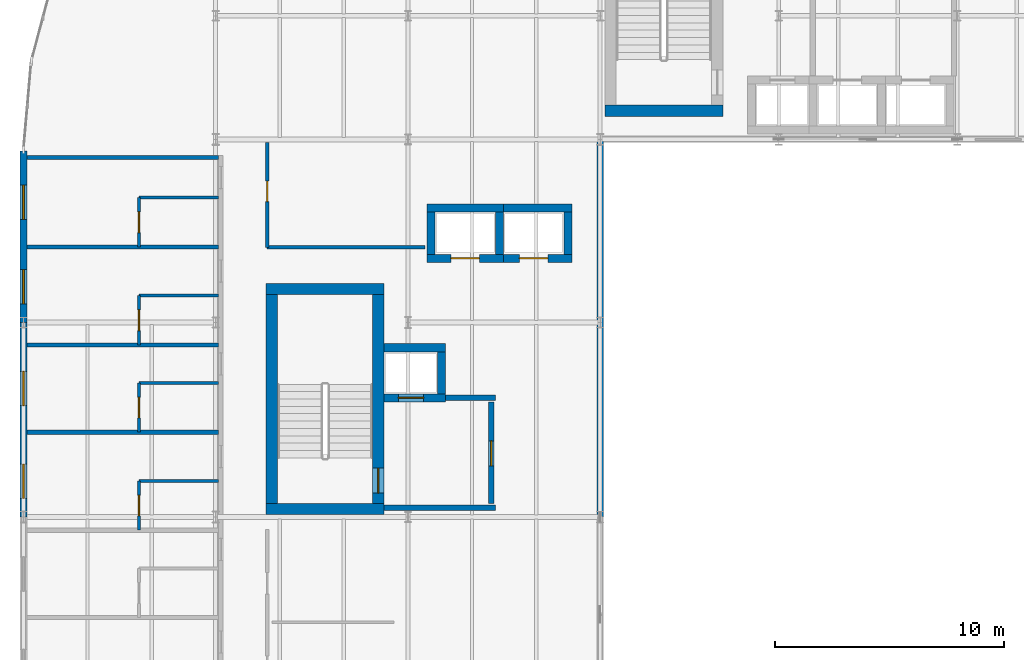
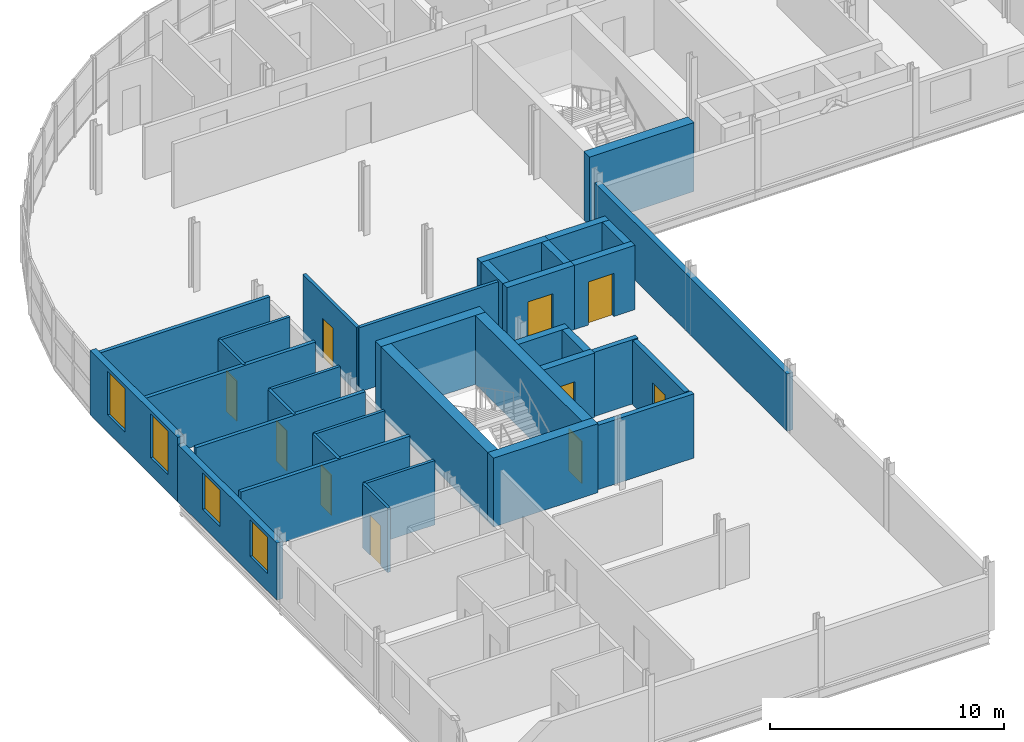
# One storey, part 20 of 34: 35 walls, 10 doors, 4 windows, 14 openings.
"""IFC4 building model written with IfcOpenShell, lengths in metres."""

from ifc_helpers import new_model, si_unit, direction, frame, frame_2d, origin, place, context, subcontext, project, spatial, rectangle, extrude, material, layer, layer_set, type_object, element, fill, save


model = new_model("IFC4")

# Units and contexts
model_context = context("Model", 3, precision=1e-05, world=origin(), true_north=direction((0.0, 1.0)))
body_context = subcontext(model_context, "Body", "Model", "MODEL_VIEW")
ifc_project = project(units=[si_unit("LENGTHUNIT", "METRE"), si_unit("AREAUNIT", "SQUARE_METRE"), si_unit("VOLUMEUNIT", "CUBIC_METRE"), si_unit("PLANEANGLEUNIT", "RADIAN"), si_unit("MASSUNIT", "GRAM", prefix="KILO")], contexts=[model_context])

# Site, building, storey
site_placement = place(None, origin())
site = spatial("IfcSite", under=ifc_project, at=site_placement, CompositionType="ELEMENT")
building_placement = place(site_placement, origin())
building = spatial("IfcBuilding", under=site, at=building_placement, Name="Sefraquen Railside Congress Hotel", CompositionType="ELEMENT")
storey_placement = place(building_placement, frame((0.0, 0.0, 31.800048828125)))
storey = spatial("IfcBuildingStorey", under=building, at=storey_placement, Name="L07", CompositionType="ELEMENT", Elevation=31.800048828125)

# Wall
ifc_material_1 = material(Name="Concrete C50/60", Category="concrete")
ifc_layer_1 = layer(ifc_material_1, 0.35009765625)
ifc_layer_set_1 = layer_set([ifc_layer_1], Name="Concrete C50/60")
wall_type_1 = type_object("IfcWallType", Name="TW-CW-350", PredefinedType="SHEAR", material=ifc_layer_set_1)
wall_1_placement = place(storey_placement, frame((15.760009765625, 86.89501953125, 0.0), z_axis=(0.0, 0.0, 1.0), x_axis=(1.0, 0.0, 0.0)))
element("IfcWall", 1, at=wall_1_placement, inside=storey, type_object=wall_type_1, Name="Lift FL-01 shaft wall N L07", PredefinedType="SHEAR", context=body_context, shape_type="SweptSolid", body=[
    extrude(rectangle(XDim=2.68994140625, YDim=0.35009765625, at=frame_2d((1.344970703125, 0.0))), origin(), (0.0, 0.0, 1.0), 3.35986328125),
])

# Wall, opening, door
wall_2_placement = place(storey_placement, frame((15.760009765625, 84.705078125, 0.0), z_axis=(0.0, 0.0, 1.0), x_axis=(1.0, 0.0, 0.0)))
wall_2 = element("IfcWall", 2, at=wall_2_placement, inside=storey, type_object=wall_type_1, Name="Lift FL-01 shaft wall S L07", PredefinedType="SHEAR", context=body_context, shape_type="SweptSolid", body=[
    extrude(rectangle(XDim=2.68994140625, YDim=0.35009765625, at=frame_2d((1.344970703125, 0.0))), origin(), (0.0, 0.0, 1.0), 3.35986328125),
])
opening_1_placement = place(wall_2_placement, frame((0.6201171875, 0.0, 0.0)))
opening_1 = element("IfcOpeningElement", 3, at=opening_1_placement, cuts=wall_2, Name="Opening LD-01", PredefinedType="OPENING", context=body_context, shape_type="SweptSolid", body=[
    extrude(rectangle(XDim=1.10009765625, YDim=2.199951171875, at=frame_2d((0.550048828125, 1.10009765625))), frame((0.0, 0.18505859375, 0.0), z_axis=(0.0, -1.0, 0.0), x_axis=(1.0, 0.0, 0.0)), (0.0, 0.0, 1.0), 0.3701171875),
])
ifc_material_2 = material(Name="Brushed bronze stainless steel", Category="steel")
door_type_1 = type_object("IfcDoorType", Name="TD-LD-01", OperationType="NOTDEFINED", PredefinedType="DOOR", material=ifc_material_2)
door_1_placement = place(opening_1_placement, origin())
door_1 = element("IfcDoor", 4, at=door_1_placement, inside=storey, type_object=door_type_1, Name="Lift landing door FL-01 L07", OperationType="SLIDING_TO_LEFT", OverallHeight=2.199951171875, OverallWidth=1.10009765625, PredefinedType="DOOR", context=body_context, shape_type="SweptSolid", body=[
    extrude(rectangle(XDim=1.10009765625, YDim=2.199951171875, at=frame_2d((0.550048828125, 1.10009765625))), frame((0.0, 0.02490234375, 0.0), z_axis=(0.0, -1.0, 0.0), x_axis=(1.0, 0.0, 0.0)), (0.0, 0.0, 1.0), 0.050048828125),
])
fill(opening_1, door_1)

# Walls
wall_3_placement = place(storey_placement, frame((18.27490234375, 84.8798828125, 0.0), z_axis=(0.0, 0.0, 1.0), x_axis=(0.0, 1.0, 0.0)))
element("IfcWall", 5, at=wall_3_placement, inside=storey, type_object=wall_type_1, Name="Lift FL-01 shaft wall E L07", PredefinedType="SHEAR", context=body_context, shape_type="SweptSolid", body=[
    extrude(rectangle(XDim=1.840087890625, YDim=0.35009765625, at=frame_2d((0.919921875, 0.0))), origin(), (0.0, 0.0, 1.0), 3.35986328125),
])
wall_4_placement = place(storey_placement, frame((17.6298828125, 92.9951171875, 0.0), z_axis=(0.0, 0.0, 1.0), x_axis=(1.0, 0.0, 0.0)))
element("IfcWall", 6, at=wall_4_placement, inside=storey, type_object=wall_type_1, Name="Lift PL-01 shaft wall N L07", PredefinedType="SHEAR", context=body_context, shape_type="SweptSolid", body=[
    extrude(rectangle(XDim=3.340087890625, YDim=0.35009765625, at=frame_2d((1.669921875, 0.0))), origin(), (0.0, 0.0, 1.0), 3.35986328125),
])

# Wall, opening, door
wall_5_placement = place(storey_placement, frame((17.6298828125, 90.804931640625, 0.0), z_axis=(0.0, 0.0, 1.0), x_axis=(1.0, 0.0, 0.0)))
wall_5 = element("IfcWall", 7, at=wall_5_placement, inside=storey, type_object=wall_type_1, Name="Lift PL-01 shaft wall S L07", PredefinedType="SHEAR", context=body_context, shape_type="SweptSolid", body=[
    extrude(rectangle(XDim=3.340087890625, YDim=0.35009765625, at=frame_2d((1.669921875, 0.0))), origin(), (0.0, 0.0, 1.0), 3.35986328125),
])
opening_2_placement = place(wall_5_placement, frame((1.044921875, 0.0, 0.0)))
opening_2 = element("IfcOpeningElement", 8, at=opening_2_placement, cuts=wall_5, Name="Opening LD-02", PredefinedType="OPENING", context=body_context, shape_type="SweptSolid", body=[
    extrude(rectangle(XDim=1.25, YDim=2.25, at=frame_2d((0.625, 1.125))), frame((0.0, 0.18505859375, 0.0), z_axis=(0.0, -1.0, 0.0), x_axis=(1.0, 0.0, 0.0)), (0.0, 0.0, 1.0), 0.3701171875),
])
ifc_material_3 = material(Name="Brushed stainless steel", Category="steel")
door_type_2 = type_object("IfcDoorType", Name="TD-LD-02", OperationType="NOTDEFINED", PredefinedType="DOOR", material=ifc_material_3)
door_2_placement = place(opening_2_placement, origin())
door_2 = element("IfcDoor", 9, at=door_2_placement, inside=storey, type_object=door_type_2, Name="Lift landing door PL-01 L07", OperationType="SLIDING_TO_LEFT", OverallHeight=2.25, OverallWidth=1.25, PredefinedType="DOOR", context=body_context, shape_type="SweptSolid", body=[
    extrude(rectangle(XDim=1.25, YDim=2.25, at=frame_2d((0.625, 1.125))), frame((0.0, 0.02490234375, 0.0), z_axis=(0.0, -1.0, 0.0), x_axis=(1.0, 0.0, 0.0)), (0.0, 0.0, 1.0), 0.050048828125),
])
fill(opening_2, door_2)

# Walls
for number, where, z_axis, x_axis, name in (
    (10, (17.804931640625, 90.97998046875, 0.0), (0.0, 0.0, 1.0), (0.0, 1.0, 0.0), "Lift PL-01 shaft wall W L07"),
    (11, (20.794921875, 90.97998046875, 0.0), (0.0, 0.0, 1.0), (0.0, 1.0, 0.0), "Lift PL-01 shaft wall E L07"),
):
    element("IfcWall", number, at=place(storey_placement, frame(where, z_axis=z_axis, x_axis=x_axis)), inside=storey, type_object=wall_type_1, Name=name, PredefinedType="SHEAR", context=body_context, shape_type="SweptSolid", body=[
        extrude(rectangle(XDim=1.840087890625, YDim=0.35009765625, at=frame_2d((0.919921875, 0.0))), origin(), (0.0, 0.0, 1.0), 3.35986328125),
    ])
wall_6_placement = place(storey_placement, frame((20.969970703125, 92.9951171875, 0.0), z_axis=(0.0, 0.0, 1.0), x_axis=(1.0, 0.0, 0.0)))
element("IfcWall", 12, at=wall_6_placement, inside=storey, type_object=wall_type_1, Name="Lift PL-02 shaft wall N L07", PredefinedType="SHEAR", context=body_context, shape_type="SweptSolid", body=[
    extrude(rectangle(XDim=2.989990234375, YDim=0.35009765625, at=frame_2d((1.4951171875, 0.0))), origin(), (0.0, 0.0, 1.0), 3.35986328125),
])

# Wall, opening, door
wall_7_placement = place(storey_placement, frame((20.969970703125, 90.804931640625, 0.0), z_axis=(0.0, 0.0, 1.0), x_axis=(1.0, 0.0, 0.0)))
wall_7 = element("IfcWall", 13, at=wall_7_placement, inside=storey, type_object=wall_type_1, Name="Lift PL-02 shaft wall S L07", PredefinedType="SHEAR", context=body_context, shape_type="SweptSolid", body=[
    extrude(rectangle(XDim=2.989990234375, YDim=0.35009765625, at=frame_2d((1.4951171875, 0.0))), origin(), (0.0, 0.0, 1.0), 3.35986328125),
])
opening_3_placement = place(wall_7_placement, frame((0.695068359375, 0.0, 0.0)))
opening_3 = element("IfcOpeningElement", 14, at=opening_3_placement, cuts=wall_7, Name="Opening LD-02", PredefinedType="OPENING", context=body_context, shape_type="SweptSolid", body=[
    extrude(rectangle(XDim=1.25, YDim=2.25, at=frame_2d((0.625, 1.125))), frame((0.0, 0.18505859375, 0.0), z_axis=(0.0, -1.0, 0.0), x_axis=(1.0, 0.0, 0.0)), (0.0, 0.0, 1.0), 0.3701171875),
])
door_3_placement = place(opening_3_placement, origin())
door_3 = element("IfcDoor", 15, at=door_3_placement, inside=storey, type_object=door_type_2, Name="Lift landing door PL-02 L07", OperationType="SLIDING_TO_LEFT", OverallHeight=2.25, OverallWidth=1.25, PredefinedType="DOOR", context=body_context, shape_type="SweptSolid", body=[
    extrude(rectangle(XDim=1.25, YDim=2.25, at=frame_2d((0.625, 1.125))), frame((0.0, 0.02490234375, 0.0), z_axis=(0.0, -1.0, 0.0), x_axis=(1.0, 0.0, 0.0)), (0.0, 0.0, 1.0), 0.050048828125),
])
fill(opening_3, door_3)

# Walls
wall_8_placement = place(storey_placement, frame((23.784912109375, 90.97998046875, 0.0), z_axis=(0.0, 0.0, 1.0), x_axis=(0.0, 1.0, 0.0)))
element("IfcWall", 16, at=wall_8_placement, inside=storey, type_object=wall_type_1, Name="Lift PL-02 shaft wall E L07", PredefinedType="SHEAR", context=body_context, shape_type="SweptSolid", body=[
    extrude(rectangle(XDim=1.840087890625, YDim=0.35009765625, at=frame_2d((0.919921875, 0.0))), origin(), (0.0, 0.0, 1.0), 3.35986328125),
])
ifc_layer_2 = layer(ifc_material_1, 0.5)
ifc_layer_set_2 = layer_set([ifc_layer_2], Name="Concrete C50/60")
wall_type_2 = type_object("IfcWallType", Name="TW-CW-500", PredefinedType="SHEAR", material=ifc_layer_set_2)
for number, where, z_axis, x_axis, name in (
    (17, (10.60009765625, 89.4619140625, 0.0), (0.0, 0.0, 1.0), (1.0, 0.0, 0.0), "Core shear wall ST-H01 N L07"),
    (18, (10.60009765625, 79.85009765625, 0.0), (0.0, 0.0, 1.0), (1.0, 0.0, 0.0), "Core shear wall ST-H01 S L07"),
):
    element("IfcWall", number, at=place(storey_placement, frame(where, z_axis=z_axis, x_axis=x_axis)), inside=storey, type_object=wall_type_2, Name=name, PredefinedType="SHEAR", context=body_context, shape_type="SweptSolid", body=[
        extrude(rectangle(XDim=5.159912109375, YDim=0.5, at=frame_2d((2.580078125, 0.0))), origin(), (0.0, 0.0, 1.0), 3.599853515625),
    ])
wall_9_placement = place(storey_placement, frame((10.85009765625, 80.10009765625, 0.0), z_axis=(0.0, 0.0, 1.0), x_axis=(0.0, 1.0, 0.0)))
element("IfcWall", 19, at=wall_9_placement, inside=storey, type_object=wall_type_2, Name="Core shear wall ST-H01 W L07", PredefinedType="SHEAR", context=body_context, shape_type="SweptSolid", body=[
    extrude(rectangle(XDim=9.11181640625, YDim=0.5, at=frame_2d((4.555908203125, 0.0))), origin(), (0.0, 0.0, 1.0), 3.599853515625),
])

# Wall, opening, door
wall_10_placement = place(storey_placement, frame((15.510009765625, 80.10009765625, 0.0), z_axis=(0.0, 0.0, 1.0), x_axis=(0.0, 1.0, 0.0)))
wall_10 = element("IfcWall", 20, at=wall_10_placement, inside=storey, type_object=wall_type_2, Name="Core shear wall ST-H01 E L07", PredefinedType="SHEAR", context=body_context, shape_type="SweptSolid", body=[
    extrude(rectangle(XDim=9.11181640625, YDim=0.5, at=frame_2d((4.555908203125, 0.0))), origin(), (0.0, 0.0, 1.0), 3.599853515625),
])
opening_4_placement = place(wall_10_placement, frame((0.43994140625, 0.0, 0.0)))
opening_4 = element("IfcOpeningElement", 21, at=opening_4_placement, cuts=wall_10, Name="Opening FD-04", PredefinedType="OPENING", context=body_context, shape_type="SweptSolid", body=[
    extrude(rectangle(XDim=1.10009765625, YDim=2.199951171875, at=frame_2d((0.550048828125, 1.10009765625))), frame((0.0, 0.260009765625, 0.0), z_axis=(0.0, -1.0, 0.0), x_axis=(1.0, 0.0, 0.0)), (0.0, 0.0, 1.0), 0.52001953125),
])
ifc_material_4 = material(Name="Fire-rated steel", Category="steel")
door_type_3 = type_object("IfcDoorType", Name="TD-FD-04", OperationType="NOTDEFINED", PredefinedType="DOOR", material=ifc_material_4)
door_4_placement = place(opening_4_placement, origin())
door_4 = element("IfcDoor", 22, at=door_4_placement, inside=storey, type_object=door_type_3, Name="Pressurized stair ST-H01 fire door L07", OperationType="SINGLE_SWING_LEFT", OverallHeight=2.199951171875, OverallWidth=1.10009765625, PredefinedType="DOOR", context=body_context, shape_type="SweptSolid", body=[
    extrude(rectangle(XDim=1.10009765625, YDim=2.199951171875, at=frame_2d((0.550048828125, 1.10009765625))), frame((0.0, 0.02490234375, 0.0), z_axis=(0.0, -1.0, 0.0), x_axis=(1.0, 0.0, 0.0)), (0.0, 0.0, 1.0), 0.050048828125),
])
fill(opening_4, door_4)

# Walls
wall_11_placement = place(storey_placement, frame((25.39990234375, 97.25, 0.0), z_axis=(0.0, 0.0, 1.0), x_axis=(1.0, 0.0, 0.0)))
element("IfcWall", 23, at=wall_11_placement, inside=storey, type_object=wall_type_2, Name="Core shear wall ST-H02 S L07", PredefinedType="SHEAR", context=body_context, shape_type="SweptSolid", body=[
    extrude(rectangle(XDim=5.16015625, YDim=0.5, at=frame_2d((2.580078125, 0.0))), origin(), (0.0, 0.0, 1.0), 3.599853515625),
])
ifc_material_5 = material(Name="Ochre Rabat calcarenite limestone and Concrete C40/50 backing", Category="masonry")
ifc_layer_3 = layer(ifc_material_5, 0.280029296875)
ifc_layer_set_3 = layer_set([ifc_layer_3], Name="Ochre Rabat calcarenite limestone and Concrete C40/50 backing")
wall_type_3 = type_object("IfcWallType", Name="TW-EW-280", PredefinedType="STANDARD", material=ifc_layer_set_3)
wall_12_placement = place(storey_placement, frame((25.199951171875, 79.5, 0.0), z_axis=(0.0, 0.0, 1.0), x_axis=(0.0, 1.0, 0.0)))
element("IfcWall", 24, at=wall_12_placement, inside=storey, type_object=wall_type_3, Name="Hotel L07 courtyard return wall", PredefinedType="STANDARD", context=body_context, shape_type="SweptSolid", body=[
    extrude(rectangle(XDim=16.5, YDim=0.280029296875, at=frame_2d((8.25, 0.0))), origin(), (0.0, 0.0, 1.0), 2.989990234375),
])

# Wall, openings, windows
ifc_layer_4 = layer(ifc_material_5, 0.300048828125)
ifc_layer_set_4 = layer_set([ifc_layer_4], Name="Ochre Rabat calcarenite limestone and Concrete C40/50 backing")
wall_type_4 = type_object("IfcWallType", Name="TW-EW-300", PredefinedType="STANDARD", material=ifc_layer_set_4)
wall_13_placement = place(storey_placement, frame((0.0, 79.5, 0.0), z_axis=(0.0, 0.0, 1.0), x_axis=(0.0, 1.0, 0.0)))
wall_13 = element("IfcWall", 25, at=wall_13_placement, inside=storey, type_object=wall_type_4, Name="Hotel L07 West Forecourt facade wall", PredefinedType="STANDARD", context=body_context, shape_type="SweptSolid", body=[
    extrude(rectangle(XDim=8.5, YDim=0.300048828125, at=frame_2d((4.25, 0.0))), origin(), (0.0, 0.0, 1.0), 2.989990234375),
])
opening_5_placement = place(wall_13_placement, frame((0.81396484375, 0.0, 0.89990234375)))
opening_5 = element("IfcOpeningElement", 26, at=opening_5_placement, cuts=wall_13, Name="Opening WN-15", PredefinedType="OPENING", context=body_context, shape_type="SweptSolid", body=[
    extrude(rectangle(XDim=1.5, YDim=1.909912109375, at=frame_2d((0.75, 0.955078125))), frame((0.0, 0.159912109375, 0.0), z_axis=(0.0, -1.0, 0.0), x_axis=(1.0, 0.0, 0.0)), (0.0, 0.0, 1.0), 0.320068359375),
])
opening_6_placement = place(wall_13_placement, frame((4.863037109375, 0.0, 0.89990234375)))
opening_6 = element("IfcOpeningElement", 27, at=opening_6_placement, cuts=wall_13, Name="Opening WN-16", PredefinedType="OPENING", context=body_context, shape_type="SweptSolid", body=[
    extrude(rectangle(XDim=1.5, YDim=1.909912109375, at=frame_2d((0.75, 0.955078125))), frame((0.0, 0.159912109375, 0.0), z_axis=(0.0, -1.0, 0.0), x_axis=(1.0, 0.0, 0.0)), (0.0, 0.0, 1.0), 0.320068359375),
])
ifc_material_6 = material(Name="Solar-control low-E double glazing in bronze-anodised frame", Category="glass")
window_type_1 = type_object("IfcWindowType", Name="TWN-W-15", PartitioningType="DOUBLE_PANEL_VERTICAL", PredefinedType="WINDOW", material=ifc_material_6)
window_1_placement = place(opening_5_placement, origin())
window_1 = element("IfcWindow", 28, at=window_1_placement, inside=storey, type_object=window_type_1, Name="Guest room west window SP-L07-RM-041", OverallHeight=1.909912109375, OverallWidth=1.5, PartitioningType="DOUBLE_PANEL_VERTICAL", PredefinedType="WINDOW", context=body_context, shape_type="SweptSolid", body=[
    extrude(rectangle(XDim=1.5, YDim=1.909912109375, at=frame_2d((0.75, 0.955078125))), frame((0.0, 0.030029296875, 0.0), z_axis=(0.0, -1.0, 0.0), x_axis=(1.0, 0.0, 0.0)), (0.0, 0.0, 1.0), 0.06005859375),
])
fill(opening_5, window_1)
window_type_2 = type_object("IfcWindowType", Name="TWN-W-16", PartitioningType="DOUBLE_PANEL_VERTICAL", PredefinedType="WINDOW", material=ifc_material_6)
window_2_placement = place(opening_6_placement, origin())
window_2 = element("IfcWindow", 29, at=window_2_placement, inside=storey, type_object=window_type_2, Name="Guest room west window SP-L07-RM-042", OverallHeight=1.909912109375, OverallWidth=1.5, PartitioningType="DOUBLE_PANEL_VERTICAL", PredefinedType="WINDOW", context=body_context, shape_type="SweptSolid", body=[
    extrude(rectangle(XDim=1.5, YDim=1.909912109375, at=frame_2d((0.75, 0.955078125))), frame((0.0, 0.030029296875, 0.0), z_axis=(0.0, -1.0, 0.0), x_axis=(1.0, 0.0, 0.0)), (0.0, 0.0, 1.0), 0.06005859375),
])
fill(opening_6, window_2)

wall_14_placement = place(storey_placement, frame((0.0, 88.0, 0.0), z_axis=(0.0, 0.0, 1.0), x_axis=(0.0, 1.0, 0.0)))
wall_14 = element("IfcWall", 30, at=wall_14_placement, inside=storey, type_object=wall_type_4, Name="Hotel L07 West Forecourt facade wall", PredefinedType="STANDARD", context=body_context, shape_type="SweptSolid", body=[
    extrude(rectangle(XDim=7.5, YDim=0.300048828125, at=frame_2d((3.75, 0.0))), origin(), (0.0, 0.0, 1.0), 3.35986328125),
])
opening_7_placement = place(wall_14_placement, frame((0.81298828125, 0.0, 0.89990234375)))
opening_7 = element("IfcOpeningElement", 31, at=opening_7_placement, cuts=wall_14, Name="Opening WN-17", PredefinedType="OPENING", context=body_context, shape_type="SweptSolid", body=[
    extrude(rectangle(XDim=1.5, YDim=2.280029296875, at=frame_2d((0.75, 1.14013671875))), frame((0.0, 0.159912109375, 0.0), z_axis=(0.0, -1.0, 0.0), x_axis=(1.0, 0.0, 0.0)), (0.0, 0.0, 1.0), 0.320068359375),
])
opening_8_placement = place(wall_14_placement, frame((4.501953125, 0.0, 0.89990234375)))
opening_8 = element("IfcOpeningElement", 32, at=opening_8_placement, cuts=wall_14, Name="Opening WN-18", PredefinedType="OPENING", context=body_context, shape_type="SweptSolid", body=[
    extrude(rectangle(XDim=1.5, YDim=2.280029296875, at=frame_2d((0.75, 1.14013671875))), frame((0.0, 0.159912109375, 0.0), z_axis=(0.0, -1.0, 0.0), x_axis=(1.0, 0.0, 0.0)), (0.0, 0.0, 1.0), 0.320068359375),
])
window_type_3 = type_object("IfcWindowType", Name="TWN-W-17", PartitioningType="DOUBLE_PANEL_VERTICAL", PredefinedType="WINDOW", material=ifc_material_6)
window_3_placement = place(opening_7_placement, origin())
window_3 = element("IfcWindow", 33, at=window_3_placement, inside=storey, type_object=window_type_3, Name="Guest room west window SP-L07-RM-043", OverallHeight=2.280029296875, OverallWidth=1.5, PartitioningType="DOUBLE_PANEL_VERTICAL", PredefinedType="WINDOW", context=body_context, shape_type="SweptSolid", body=[
    extrude(rectangle(XDim=1.5, YDim=2.280029296875, at=frame_2d((0.75, 1.14013671875))), frame((0.0, 0.030029296875, 0.0), z_axis=(0.0, -1.0, 0.0), x_axis=(1.0, 0.0, 0.0)), (0.0, 0.0, 1.0), 0.06005859375),
])
fill(opening_7, window_3)
window_type_4 = type_object("IfcWindowType", Name="TWN-W-18", PartitioningType="DOUBLE_PANEL_VERTICAL", PredefinedType="WINDOW", material=ifc_material_6)
window_4_placement = place(opening_8_placement, origin())
window_4 = element("IfcWindow", 34, at=window_4_placement, inside=storey, type_object=window_type_4, Name="Guest room west window SP-L07-RM-044", OverallHeight=2.280029296875, OverallWidth=1.5, PartitioningType="DOUBLE_PANEL_VERTICAL", PredefinedType="WINDOW", context=body_context, shape_type="SweptSolid", body=[
    extrude(rectangle(XDim=1.5, YDim=2.280029296875, at=frame_2d((0.75, 1.14013671875))), frame((0.0, 0.030029296875, 0.0), z_axis=(0.0, -1.0, 0.0), x_axis=(1.0, 0.0, 0.0)), (0.0, 0.0, 1.0), 0.06005859375),
])
fill(opening_8, window_4)

# Walls
ifc_material_7 = material(Name="Concrete C40/50", Category="concrete")
ifc_layer_5 = layer(ifc_material_7, 0.239990234375)
ifc_layer_set_5 = layer_set([ifc_layer_5], Name="Concrete C40/50")
wall_type_5 = type_object("IfcWallType", Name="TW-FW-240", PredefinedType="STANDARD", material=ifc_layer_set_5)
wall_15_placement = place(storey_placement, frame((15.760009765625, 79.89990234375, 0.0), z_axis=(0.0, 0.0, 1.0), x_axis=(1.0, 0.0, 0.0)))
element("IfcWall", 35, at=wall_15_placement, inside=storey, type_object=wall_type_5, Name="Firefighting Lift Lobby FFL-01 S fire wall L07", PredefinedType="STANDARD", context=body_context, shape_type="SweptSolid", body=[
    extrude(rectangle(XDim=4.860107421875, YDim=0.239990234375, at=frame_2d((2.43017578125, 0.0))), origin(), (0.0, 0.0, 1.0), 3.35986328125),
])
wall_16_placement = place(storey_placement, frame((18.449951171875, 84.705078125, 0.0), z_axis=(0.0, 0.0, 1.0), x_axis=(1.0, 0.0, 0.0)))
element("IfcWall", 36, at=wall_16_placement, inside=storey, type_object=wall_type_5, Name="Firefighting Lift Lobby FFL-01 N fire wall L07", PredefinedType="STANDARD", context=body_context, shape_type="SweptSolid", body=[
    extrude(rectangle(XDim=2.170166015625, YDim=0.239990234375, at=frame_2d((1.0849609375, 0.0))), origin(), (0.0, 0.0, 1.0), 3.35986328125),
])

# Wall, opening, door
wall_17_placement = place(storey_placement, frame((20.43994140625, 80.080078125, 0.0), z_axis=(0.0, 0.0, 1.0), x_axis=(0.0, 1.0, 0.0)))
wall_17 = element("IfcWall", 37, at=wall_17_placement, inside=storey, type_object=wall_type_5, Name="Firefighting Lift Lobby FFL-01 EI 120 separation wall L07", PredefinedType="STANDARD", context=body_context, shape_type="SweptSolid", body=[
    extrude(rectangle(XDim=4.449951171875, YDim=0.239990234375, at=frame_2d((2.22509765625, 0.0))), origin(), (0.0, 0.0, 1.0), 3.35986328125),
])
opening_9_placement = place(wall_17_placement, frame((1.64990234375, 0.0, 0.0)))
opening_9 = element("IfcOpeningElement", 38, at=opening_9_placement, cuts=wall_17, Name="Opening FD-04", PredefinedType="OPENING", context=body_context, shape_type="SweptSolid", body=[
    extrude(rectangle(XDim=1.10009765625, YDim=2.199951171875, at=frame_2d((0.550048828125, 1.10009765625))), frame((0.0, 0.1298828125, 0.0), z_axis=(0.0, -1.0, 0.0), x_axis=(1.0, 0.0, 0.0)), (0.0, 0.0, 1.0), 0.260009765625),
])
door_5_placement = place(opening_9_placement, origin())
door_5 = element("IfcDoor", 39, at=door_5_placement, inside=storey, type_object=door_type_3, Name="Firefighting Lift Lobby FFL-01 self-closing fire door L07", OperationType="SINGLE_SWING_LEFT", OverallHeight=2.199951171875, OverallWidth=1.10009765625, PredefinedType="DOOR", context=body_context, shape_type="SweptSolid", body=[
    extrude(rectangle(XDim=1.10009765625, YDim=2.199951171875, at=frame_2d((0.550048828125, 1.10009765625))), frame((0.0, 0.02490234375, 0.0), z_axis=(0.0, -1.0, 0.0), x_axis=(1.0, 0.0, 0.0)), (0.0, 0.0, 1.0), 0.050048828125),
])
fill(opening_9, door_5)

# Wall
ifc_material_8 = material(Name="Moisture-resistant gypsum board", Category="gypsum")
ifc_layer_6 = layer(ifc_material_8, 0.139892578125)
ifc_layer_set_6 = layer_set([ifc_layer_6], Name="Moisture-resistant gypsum board")
wall_type_6 = type_object("IfcWallType", Name="TW-PW-140", PredefinedType="PARTITIONING", material=ifc_layer_set_6)
wall_18_placement = place(storey_placement, frame((5.050048828125, 81.072998046875, 0.0), z_axis=(0.0, 0.0, 1.0), x_axis=(1.0, 0.0, 0.0)))
element("IfcWall", 40, at=wall_18_placement, inside=storey, type_object=wall_type_6, Name="West en-suite bathroom north wall RM-041", PredefinedType="PARTITIONING", context=body_context, shape_type="SweptSolid", body=[
    extrude(rectangle(XDim=3.469970703125, YDim=0.139892578125, at=frame_2d((1.73486328125, 0.0))), origin(), (0.0, 0.0, 1.0), 3.35986328125),
])

# Wall, opening, door
wall_19_placement = place(storey_placement, frame((5.050048828125, 78.923095703125, 0.0), z_axis=(0.0, 0.0, 1.0), x_axis=(0.0, 1.0, 0.0)))
wall_19 = element("IfcWall", 41, at=wall_19_placement, inside=storey, type_object=wall_type_6, Name="West en-suite bathroom west wall RM-041", PredefinedType="PARTITIONING", context=body_context, shape_type="SweptSolid", body=[
    extrude(rectangle(XDim=2.14990234375, YDim=0.139892578125, at=frame_2d((1.074951171875, 0.0))), origin(), (0.0, 0.0, 1.0), 3.35986328125),
])
opening_10_placement = place(wall_19_placement, frame((0.625, 0.0, 0.0)))
opening_10 = element("IfcOpeningElement", 42, at=opening_10_placement, cuts=wall_19, Name="Opening ID-02", PredefinedType="OPENING", context=body_context, shape_type="SweptSolid", body=[
    extrude(rectangle(XDim=0.89990234375, YDim=2.10009765625, at=frame_2d((0.449951171875, 1.050048828125))), frame((0.0, 0.079833984375, 0.0), z_axis=(0.0, -1.0, 0.0), x_axis=(1.0, 0.0, 0.0)), (0.0, 0.0, 1.0), 0.159912109375),
])
ifc_material_9 = material(Name="Lacquered cedar joinery", Category="wood")
door_type_4 = type_object("IfcDoorType", Name="TD-ID-02", OperationType="NOTDEFINED", PredefinedType="DOOR", material=ifc_material_9)
door_6_placement = place(opening_10_placement, frame((0.89990234375, 0.0, 0.0), z_axis=(0.0, 0.0, 1.0), x_axis=(-1.0, 0.0, 0.0)))
door_6 = element("IfcDoor", 43, at=door_6_placement, inside=storey, type_object=door_type_4, Name="En-suite bathroom door RM-041", OperationType="SINGLE_SWING_LEFT", OverallHeight=2.10009765625, OverallWidth=0.89990234375, PredefinedType="DOOR", context=body_context, shape_type="SweptSolid", body=[
    extrude(rectangle(XDim=0.89990234375, YDim=2.10009765625, at=frame_2d((0.449951171875, 1.050048828125))), frame((0.0, 0.02490234375, 0.0), z_axis=(0.0, -1.0, 0.0), x_axis=(1.0, 0.0, 0.0)), (0.0, 0.0, 1.0), 0.050048828125),
])
fill(opening_10, door_6)

# Wall
wall_20_placement = place(storey_placement, frame((5.050048828125, 85.35400390625, 0.0), z_axis=(0.0, 0.0, 1.0), x_axis=(1.0, 0.0, 0.0)))
element("IfcWall", 44, at=wall_20_placement, inside=storey, type_object=wall_type_6, Name="West en-suite bathroom north wall RM-042", PredefinedType="PARTITIONING", context=body_context, shape_type="SweptSolid", body=[
    extrude(rectangle(XDim=3.469970703125, YDim=0.139892578125, at=frame_2d((1.73486328125, 0.0))), origin(), (0.0, 0.0, 1.0), 3.35986328125),
])

# Wall, opening, door
wall_21_placement = place(storey_placement, frame((5.050048828125, 83.2041015625, 0.0), z_axis=(0.0, 0.0, 1.0), x_axis=(0.0, 1.0, 0.0)))
wall_21 = element("IfcWall", 45, at=wall_21_placement, inside=storey, type_object=wall_type_6, Name="West en-suite bathroom west wall RM-042", PredefinedType="PARTITIONING", context=body_context, shape_type="SweptSolid", body=[
    extrude(rectangle(XDim=2.14990234375, YDim=0.139892578125, at=frame_2d((1.074951171875, 0.0))), origin(), (0.0, 0.0, 1.0), 3.35986328125),
])
opening_11_placement = place(wall_21_placement, frame((0.625, 0.0, 0.0)))
opening_11 = element("IfcOpeningElement", 46, at=opening_11_placement, cuts=wall_21, Name="Opening ID-02", PredefinedType="OPENING", context=body_context, shape_type="SweptSolid", body=[
    extrude(rectangle(XDim=0.89990234375, YDim=2.10009765625, at=frame_2d((0.449951171875, 1.050048828125))), frame((0.0, 0.079833984375, 0.0), z_axis=(0.0, -1.0, 0.0), x_axis=(1.0, 0.0, 0.0)), (0.0, 0.0, 1.0), 0.159912109375),
])
door_7_placement = place(opening_11_placement, frame((0.89990234375, 0.0, 0.0), z_axis=(0.0, 0.0, 1.0), x_axis=(-1.0, 0.0, 0.0)))
door_7 = element("IfcDoor", 47, at=door_7_placement, inside=storey, type_object=door_type_4, Name="En-suite bathroom door RM-042", OperationType="SINGLE_SWING_LEFT", OverallHeight=2.10009765625, OverallWidth=0.89990234375, PredefinedType="DOOR", context=body_context, shape_type="SweptSolid", body=[
    extrude(rectangle(XDim=0.89990234375, YDim=2.10009765625, at=frame_2d((0.449951171875, 1.050048828125))), frame((0.0, 0.02490234375, 0.0), z_axis=(0.0, -1.0, 0.0), x_axis=(1.0, 0.0, 0.0)), (0.0, 0.0, 1.0), 0.050048828125),
])
fill(opening_11, door_7)

# Wall
wall_22_placement = place(storey_placement, frame((5.050048828125, 89.173095703125, 0.0), z_axis=(0.0, 0.0, 1.0), x_axis=(1.0, 0.0, 0.0)))
element("IfcWall", 48, at=wall_22_placement, inside=storey, type_object=wall_type_6, Name="West en-suite bathroom north wall RM-043", PredefinedType="PARTITIONING", context=body_context, shape_type="SweptSolid", body=[
    extrude(rectangle(XDim=3.469970703125, YDim=0.139892578125, at=frame_2d((1.73486328125, 0.0))), origin(), (0.0, 0.0, 1.0), 3.35986328125),
])

# Wall, opening, door
wall_23_placement = place(storey_placement, frame((5.050048828125, 87.02294921875, 0.0), z_axis=(0.0, 0.0, 1.0), x_axis=(0.0, 1.0, 0.0)))
wall_23 = element("IfcWall", 49, at=wall_23_placement, inside=storey, type_object=wall_type_6, Name="West en-suite bathroom west wall RM-043", PredefinedType="PARTITIONING", context=body_context, shape_type="SweptSolid", body=[
    extrude(rectangle(XDim=2.150146484375, YDim=0.139892578125, at=frame_2d((1.0751953125, 0.0))), origin(), (0.0, 0.0, 1.0), 3.35986328125),
])
opening_12_placement = place(wall_23_placement, frame((0.625, 0.0, 0.0)))
opening_12 = element("IfcOpeningElement", 50, at=opening_12_placement, cuts=wall_23, Name="Opening ID-02", PredefinedType="OPENING", context=body_context, shape_type="SweptSolid", body=[
    extrude(rectangle(XDim=0.89990234375, YDim=2.10009765625, at=frame_2d((0.449951171875, 1.050048828125))), frame((0.0, 0.079833984375, 0.0), z_axis=(0.0, -1.0, 0.0), x_axis=(1.0, 0.0, 0.0)), (0.0, 0.0, 1.0), 0.159912109375),
])
door_8_placement = place(opening_12_placement, frame((0.89990234375, 0.0, 0.0), z_axis=(0.0, 0.0, 1.0), x_axis=(-1.0, 0.0, 0.0)))
door_8 = element("IfcDoor", 51, at=door_8_placement, inside=storey, type_object=door_type_4, Name="En-suite bathroom door RM-043", OperationType="SINGLE_SWING_LEFT", OverallHeight=2.10009765625, OverallWidth=0.89990234375, PredefinedType="DOOR", context=body_context, shape_type="SweptSolid", body=[
    extrude(rectangle(XDim=0.89990234375, YDim=2.10009765625, at=frame_2d((0.449951171875, 1.050048828125))), frame((0.0, 0.02490234375, 0.0), z_axis=(0.0, -1.0, 0.0), x_axis=(1.0, 0.0, 0.0)), (0.0, 0.0, 1.0), 0.050048828125),
])
fill(opening_12, door_8)

# Wall
wall_24_placement = place(storey_placement, frame((5.050048828125, 93.4541015625, 0.0), z_axis=(0.0, 0.0, 1.0), x_axis=(1.0, 0.0, 0.0)))
element("IfcWall", 52, at=wall_24_placement, inside=storey, type_object=wall_type_6, Name="West en-suite bathroom north wall RM-044", PredefinedType="PARTITIONING", context=body_context, shape_type="SweptSolid", body=[
    extrude(rectangle(XDim=3.469970703125, YDim=0.139892578125, at=frame_2d((1.73486328125, 0.0))), origin(), (0.0, 0.0, 1.0), 3.35986328125),
])

# Wall, opening, door
wall_25_placement = place(storey_placement, frame((5.050048828125, 91.303955078125, 0.0), z_axis=(0.0, 0.0, 1.0), x_axis=(0.0, 1.0, 0.0)))
wall_25 = element("IfcWall", 53, at=wall_25_placement, inside=storey, type_object=wall_type_6, Name="West en-suite bathroom west wall RM-044", PredefinedType="PARTITIONING", context=body_context, shape_type="SweptSolid", body=[
    extrude(rectangle(XDim=2.150146484375, YDim=0.139892578125, at=frame_2d((1.0751953125, 0.0))), origin(), (0.0, 0.0, 1.0), 3.35986328125),
])
opening_13_placement = place(wall_25_placement, frame((0.625, 0.0, 0.0)))
opening_13 = element("IfcOpeningElement", 54, at=opening_13_placement, cuts=wall_25, Name="Opening ID-02", PredefinedType="OPENING", context=body_context, shape_type="SweptSolid", body=[
    extrude(rectangle(XDim=0.89990234375, YDim=2.10009765625, at=frame_2d((0.449951171875, 1.050048828125))), frame((0.0, 0.079833984375, 0.0), z_axis=(0.0, -1.0, 0.0), x_axis=(1.0, 0.0, 0.0)), (0.0, 0.0, 1.0), 0.159912109375),
])
door_9_placement = place(opening_13_placement, frame((0.89990234375, 0.0, 0.0), z_axis=(0.0, 0.0, 1.0), x_axis=(-1.0, 0.0, 0.0)))
door_9 = element("IfcDoor", 55, at=door_9_placement, inside=storey, type_object=door_type_4, Name="En-suite bathroom door RM-044", OperationType="SINGLE_SWING_LEFT", OverallHeight=2.10009765625, OverallWidth=0.89990234375, PredefinedType="DOOR", context=body_context, shape_type="SweptSolid", body=[
    extrude(rectangle(XDim=0.89990234375, YDim=2.10009765625, at=frame_2d((0.449951171875, 1.050048828125))), frame((0.0, 0.02490234375, 0.0), z_axis=(0.0, -1.0, 0.0), x_axis=(1.0, 0.0, 0.0)), (0.0, 0.0, 1.0), 0.050048828125),
])
fill(opening_13, door_9)

ifc_layer_7 = layer(ifc_material_8, 0.159912109375)
ifc_layer_set_7 = layer_set([ifc_layer_7], Name="Moisture-resistant gypsum board")
wall_type_7 = type_object("IfcWallType", Name="TW-PW-160", PredefinedType="PARTITIONING", material=ifc_layer_set_7)
wall_26_placement = place(storey_placement, frame((10.64990234375, 91.280029296875, 0.0), z_axis=(0.0, 0.0, 1.0), x_axis=(0.0, 1.0, 0.0)))
wall_26 = element("IfcWall", 56, at=wall_26_placement, inside=storey, type_object=wall_type_7, Name="Hotel L07 west-return corridor E2 partition", PredefinedType="PARTITIONING", context=body_context, shape_type="SweptSolid", body=[
    extrude(rectangle(XDim=4.580078125, YDim=0.159912109375, at=frame_2d((2.2900390625, 0.0))), origin(), (0.0, 0.0, 1.0), 3.35986328125),
])
opening_14_placement = place(wall_26_placement, frame((2.0, 0.0, 0.0)))
opening_14 = element("IfcOpeningElement", 57, at=opening_14_placement, cuts=wall_26, Name="Opening ID-02", PredefinedType="OPENING", context=body_context, shape_type="SweptSolid", body=[
    extrude(rectangle(XDim=0.89990234375, YDim=2.10009765625, at=frame_2d((0.449951171875, 1.050048828125))), frame((0.0, 0.08984375, 0.0), z_axis=(0.0, -1.0, 0.0), x_axis=(1.0, 0.0, 0.0)), (0.0, 0.0, 1.0), 0.179931640625),
])
door_10_placement = place(opening_14_placement, origin())
door_10 = element("IfcDoor", 58, at=door_10_placement, inside=storey, type_object=door_type_4, Name="Hotel floor Staff WC door L07", OperationType="SINGLE_SWING_RIGHT", OverallHeight=2.10009765625, OverallWidth=0.89990234375, PredefinedType="DOOR", context=body_context, shape_type="SweptSolid", body=[
    extrude(rectangle(XDim=0.89990234375, YDim=2.10009765625, at=frame_2d((0.449951171875, 1.050048828125))), frame((0.0, 0.02490234375, 0.0), z_axis=(0.0, -1.0, 0.0), x_axis=(1.0, 0.0, 0.0)), (0.0, 0.0, 1.0), 0.050048828125),
])
fill(opening_14, door_10)

# Walls
wall_27_placement = place(storey_placement, frame((10.64990234375, 91.280029296875, 0.0), z_axis=(0.0, 0.0, 1.0), x_axis=(1.0, 0.0, 0.0)))
element("IfcWall", 59, at=wall_27_placement, inside=storey, type_object=wall_type_7, Name="Hotel L07 staff WC south enclosure partition", PredefinedType="PARTITIONING", context=body_context, shape_type="SweptSolid", body=[
    extrude(rectangle(XDim=6.900146484375, YDim=0.159912109375, at=frame_2d((3.4501953125, 0.0))), origin(), (0.0, 0.0, 1.0), 3.35986328125),
])
ifc_material_10 = material(Name="Acoustic gypsum board on metal stud", Category="gypsum")
ifc_layer_8 = layer(ifc_material_10, 0.179931640625)
ifc_layer_set_8 = layer_set([ifc_layer_8], Name="Acoustic gypsum board on metal stud")
wall_type_8 = type_object("IfcWallType", Name="TW-PW-180", PredefinedType="PARTITIONING", material=ifc_layer_set_8)
for number, where, z_axis, x_axis, name in (
    (60, (0.14990234375, 83.2041015625, 0.0), (0.0, 0.0, 1.0), (1.0, 0.0, 0.0), "West return guest room demising wall RM-041"),
    (61, (0.14990234375, 87.02294921875, 0.0), (0.0, 0.0, 1.0), (1.0, 0.0, 0.0), "West return guest room demising wall RM-042"),
    (62, (0.14990234375, 91.303955078125, 0.0), (0.0, 0.0, 1.0), (1.0, 0.0, 0.0), "West return guest room demising wall RM-043"),
    (63, (0.14990234375, 95.199951171875, 0.0), (0.0, 0.0, 1.0), (1.0, 0.0, 0.0), "West return guest room demising wall RM-044"),
):
    element("IfcWall", number, at=place(storey_placement, frame(where, z_axis=z_axis, x_axis=x_axis)), inside=storey, type_object=wall_type_8, Name=name, PredefinedType="PARTITIONING", context=body_context, shape_type="SweptSolid", body=[
        extrude(rectangle(XDim=8.3701171875, YDim=0.179931640625, at=frame_2d((4.18505859375, 0.0))), origin(), (0.0, 0.0, 1.0), 3.35986328125),
    ])

save(model, "model.ifc")
